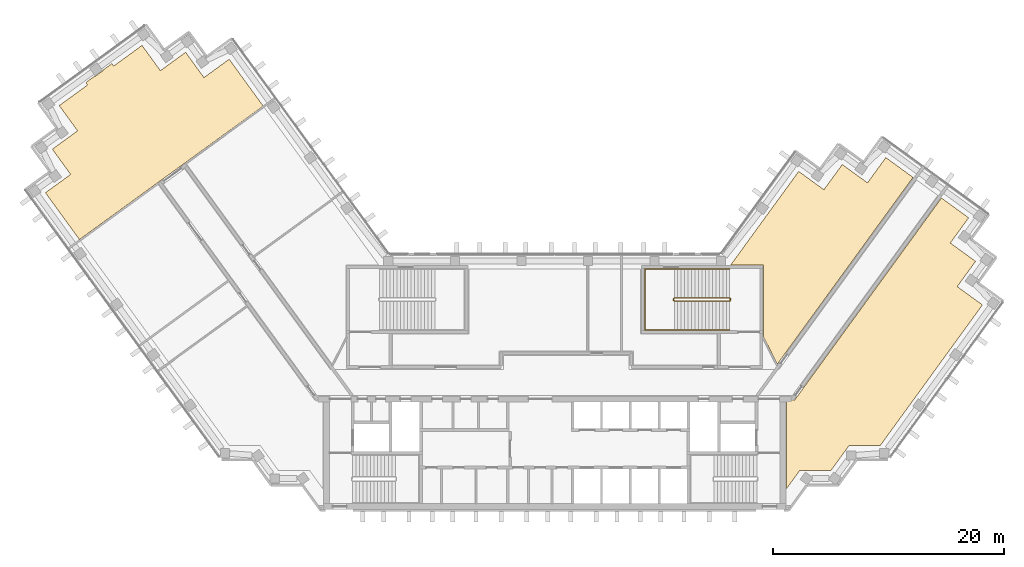
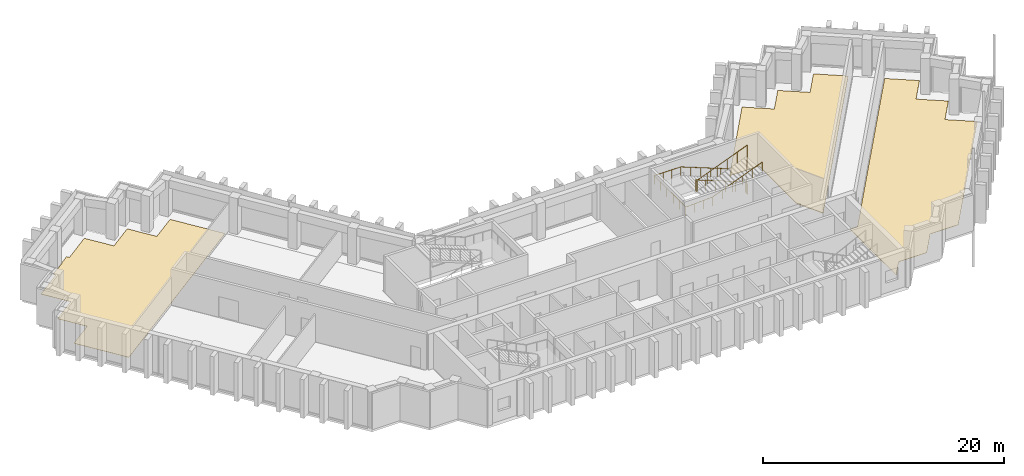
# One storey, part 9 of 9: 3 coverings, 2 railings.
"""IFC4 building model written with IfcOpenShell, lengths in metres."""

import ifcopenshell
import ifcopenshell.guid

model = None  # the IFC model being written
_history = None  # IfcOwnerHistory: only IFC2X3 demands one
_inside = {}  # id of a spatial element -> (the spatial element, [elements in it])
_under = {}  # id of a project, library or spatial element -> (it, [spatial elements below it])
_declared = {}  # id of a project -> (the project, [libraries it declares])
_typed = {}  # id of a type object -> (the type object, [elements of that type])
_made_of = {}  # id of a material, layer set ... -> (it, [elements and type objects made of it])


def new_model(schema):
    """Start an empty IFC model of exactly this schema.

    Asked for "IFC4X3", IfcOpenShell would pick the latest addendum, in which some entities
    have other attributes; the version numbers below select the first issue.
    IFC2X3 requires an IfcOwnerHistory on every rooted entity: one is made here for all.
    """
    global model, _history
    if schema == "IFC4X3":
        model = ifcopenshell.file(schema_version=(4, 3, 0, 0))
    else:
        model = ifcopenshell.file(schema=schema)
    _inside.clear()
    _under.clear()
    _declared.clear()
    _typed.clear()
    _made_of.clear()
    _history = None
    if model.schema == "IFC2X3":
        org = make("IfcOrganization", Name="unknown")
        user = make(
            "IfcPersonAndOrganization",
            ThePerson=make("IfcPerson", FamilyName="unknown"),
            TheOrganization=org,
        )
        app = make(
            "IfcApplication",
            ApplicationDeveloper=org,
            Version="unknown",
            ApplicationFullName="unknown",
            ApplicationIdentifier="unknown",
        )
        _history = make(
            "IfcOwnerHistory",
            OwningUser=user,
            OwningApplication=app,
            ChangeAction="ADDED",
            CreationDate=0,
        )
    return model


def make(cls, **values):
    """One entity of the class cls with the attributes given. An attribute that is None is left unset."""
    return model.create_entity(
        cls, **{name: value for name, value in values.items() if value is not None}
    )


def rooted(cls, **values):
    """An entity with a GlobalId (a new one), such as an element, a storey or a relation."""
    return make(cls, GlobalId=ifcopenshell.guid.new(), OwnerHistory=_history, **values)


def si_unit(unit_type, name, prefix=None):
    """IfcSIUnit, for example si_unit("LENGTHUNIT", "METRE", prefix="MILLI")."""
    return make("IfcSIUnit", UnitType=unit_type, Prefix=prefix, Name=name)


def assignment(units):
    """IfcUnitAssignment: the units of a project."""
    return None if units is None else make("IfcUnitAssignment", Units=units)


def point(xyz):
    """IfcCartesianPoint."""
    return None if xyz is None else make("IfcCartesianPoint", Coordinates=xyz)


def direction(xyz):
    """IfcDirection."""
    return None if xyz is None else make("IfcDirection", DirectionRatios=xyz)


def frame(location, z_axis=None, x_axis=None):
    """IfcAxis2Placement3D, a coordinate frame: its origin and axes. An axis left out is left unset."""
    return make(
        "IfcAxis2Placement3D",
        Location=point(location),
        Axis=direction(z_axis),
        RefDirection=direction(x_axis),
    )


def frame_2d(location, x_axis=None):
    """IfcAxis2Placement2D, a coordinate frame in the plane: its origin and x axis."""
    return make(
        "IfcAxis2Placement2D", Location=point(location), RefDirection=direction(x_axis)
    )


def origin():
    """The frame at (0, 0, 0) with its axes left unset."""
    return frame((0.0, 0.0, 0.0))


def origin_2d():
    """The frame at (0, 0) in the plane with its x axis left unset."""
    return frame_2d((0.0, 0.0))


def place(relative_to, where):
    """IfcLocalPlacement: puts the frame where relative to a parent placement (None: the world)."""
    return make(
        "IfcLocalPlacement", PlacementRelTo=relative_to, RelativePlacement=where
    )


def context(
    kind, dimensions, precision=None, world=None, true_north=None, identifier=None
):
    """IfcGeometricRepresentationContext, for example the 3D "Model" context."""
    return make(
        "IfcGeometricRepresentationContext",
        ContextIdentifier=identifier,
        ContextType=kind,
        CoordinateSpaceDimension=dimensions,
        Precision=precision,
        WorldCoordinateSystem=world,
        TrueNorth=true_north,
    )


def subcontext(parent, identifier, kind, view, scale=None):
    """IfcGeometricRepresentationSubContext, for example "Body" below "Model"."""
    return make(
        "IfcGeometricRepresentationSubContext",
        ContextIdentifier=identifier,
        ContextType=kind,
        ParentContext=parent,
        TargetScale=scale,
        TargetView=view,
    )


def project(units=None, contexts=None):
    """IfcProject with its units and contexts."""
    return rooted(
        "IfcProject",
        Name="project",
        RepresentationContexts=contexts,
        UnitsInContext=assignment(units),
    )


def spatial(cls, under=None, at=None, **own):
    """A site, building, storey or space (cls), placed at a placement, below another one or the project."""
    s = rooted(cls, ObjectPlacement=at, **own)
    if under is not None:
        _under.setdefault(under.id(), (under, []))[1].append(s)
    return s


def polyline(points):
    """IfcPolyline through the points."""
    return make("IfcPolyline", Points=[point(p) for p in points])


def profile(cls, at=None, kind="AREA", **sizes):
    """A parametric profile (cls). Its sizes go by their IFC names, for example OverallWidth=200.0."""
    return make(cls, ProfileType=kind, Position=at, **sizes)


def circle(**sizes):
    """IfcCircleProfileDef."""
    return profile("IfcCircleProfileDef", **sizes)


def outline(outer, holes=None, kind="AREA"):
    """IfcArbitraryClosedProfileDef: a profile drawn as a closed curve; with holes, ...WithVoids."""
    if holes is None:
        return make("IfcArbitraryClosedProfileDef", ProfileType=kind, OuterCurve=outer)
    return make(
        "IfcArbitraryProfileDefWithVoids",
        ProfileType=kind,
        OuterCurve=outer,
        InnerCurves=holes,
    )


def extrude(swept, where, along, depth):
    """IfcExtrudedAreaSolid: the profile swept, set in the frame where, extruded along a direction by depth."""
    return make(
        "IfcExtrudedAreaSolid",
        SweptArea=swept,
        Position=where,
        ExtrudedDirection=direction(along),
        Depth=depth,
    )


def shape(context_of_items, identifier, shape_type, items):
    """IfcShapeRepresentation: the items that make up one representation, for example the "Body"."""
    return make(
        "IfcShapeRepresentation",
        ContextOfItems=context_of_items,
        RepresentationIdentifier=identifier,
        RepresentationType=shape_type,
        Items=items,
    )


def material(Name=None, Category=None):
    """IfcMaterial."""
    return make("IfcMaterial", Name=Name, Category=Category)


def layer(
    of_material, thickness, ventilated=None, Name=None, Category=None, Priority=None
):
    """IfcMaterialLayer: one layer of a wall or slab, of a material (None: an air gap)."""
    return make(
        "IfcMaterialLayer",
        Material=of_material,
        LayerThickness=thickness,
        IsVentilated=ventilated,
        Name=Name,
        Category=Category,
        Priority=Priority,
    )


def layer_set(layers, Name=None):
    """IfcMaterialLayerSet."""
    return make("IfcMaterialLayerSet", MaterialLayers=layers, LayerSetName=Name)


def made_of(thing, what):
    """Note that an element or type object is made of a material, layer set ...; save() writes the relation."""
    if what is not None:
        _made_of.setdefault(what.id(), (what, []))[1].append(thing)
    return thing


def type_object(cls, material=None, **own):
    """A type object (cls), such as IfcWallType, which elements share."""
    return made_of(rooted(cls, **own), material)


def element(
    cls,
    number,
    at=None,
    inside=None,
    cuts=None,
    type_object=None,
    material=None,
    context=None,
    identifier="Body",
    shape_type=None,
    held_by="IfcProductDefinitionShape",
    body=None,
    shapes=None,
    **own,
):
    """One element of the class cls, such as IfcWall. Its Tag is "e" and its number.

    at: its placement. inside: the storey or other place that contains it. cuts: it is an
    opening in that element (IfcRelVoidsElement). A single representation is given by context,
    identifier, shape_type and body (its items); several are given by shapes. held_by: the class
    of the entity that holds the representations. save() writes the other relations.
    """
    e = rooted(cls, Tag="e%d" % number, ObjectPlacement=at, **own)
    if body is not None:
        shapes = [shape(context, identifier, shape_type, body)]
    if shapes is not None:
        e.Representation = make(held_by, Representations=shapes)
    if inside is not None:
        _inside.setdefault(inside.id(), (inside, []))[1].append(e)
    if cuts is not None:
        rooted(
            "IfcRelVoidsElement", RelatingBuildingElement=cuts, RelatedOpeningElement=e
        )
    if type_object is not None:
        _typed.setdefault(type_object.id(), (type_object, []))[1].append(e)
    return made_of(e, material)


def aggregate(whole, parts):
    """IfcRelAggregates: a whole, such as a stair, and the parts it consists of."""
    return rooted("IfcRelAggregates", RelatingObject=whole, RelatedObjects=parts)


def save(model, path):
    """Write the relations noted so far, then the file.

    IfcRelAggregates (storeys below a building ...), IfcRelContainedInSpatialStructure (elements
    in a storey), IfcRelDefinesByType, IfcRelAssociatesMaterial and IfcRelDeclares: one each for
    every whole, place, type object, material and project.
    """
    for whole, parts in _under.values():
        aggregate(whole, parts)
    for where, things in _inside.values():
        rooted(
            "IfcRelContainedInSpatialStructure",
            RelatedElements=things,
            RelatingStructure=where,
        )
    for kind, things in _typed.values():
        rooted("IfcRelDefinesByType", RelatedObjects=things, RelatingType=kind)
    for what, things in _made_of.values():
        rooted("IfcRelAssociatesMaterial", RelatedObjects=things, RelatingMaterial=what)
    for by, libraries in _declared.values():
        rooted("IfcRelDeclares", RelatingContext=by, RelatedDefinitions=libraries)
    model.write(path)


model = new_model("IFC4")

# Units and contexts
model_context = context("Model", 3, precision=1e-05, world=origin(), true_north=direction((0.0, 1.0)))
body_context = subcontext(model_context, "Body", "Model", "MODEL_VIEW")
ifc_project = project(units=[si_unit("LENGTHUNIT", "METRE"), si_unit("AREAUNIT", "SQUARE_METRE"), si_unit("VOLUMEUNIT", "CUBIC_METRE"), si_unit("PLANEANGLEUNIT", "RADIAN"), si_unit("MASSUNIT", "GRAM", prefix="KILO")], contexts=[model_context])

# Site, building, storey
site_placement = place(None, origin())
site = spatial("IfcSite", under=ifc_project, at=site_placement, CompositionType="ELEMENT")
building_placement = place(site_placement, origin())
building = spatial("IfcBuilding", under=site, at=building_placement, Name="Quipu Civic Tower", CompositionType="ELEMENT")
storey_placement = place(building_placement, frame((0.0, 0.0, 226.0)))
storey = spatial("IfcBuildingStorey", under=building, at=storey_placement, Name="L53", CompositionType="ELEMENT", Elevation=226.0)

# Coverings
ifc_material_1 = material(Name="Carpet tile on raised access floor")
ifc_layer_1 = layer(ifc_material_1, 0.02001953125)
ifc_layer_set_1 = layer_set([ifc_layer_1], Name="Carpet tile on raised access floor")
covering_type_1 = type_object("IfcCoveringType", Name="Carpet tile floor finish 20", PredefinedType="FLOORING", material=ifc_layer_set_1)
covering_1_placement = place(storey_placement, origin())
element("IfcCovering", 1, at=covering_1_placement, inside=storey, type_object=covering_type_1, Name="Carpet tile floor finish 20", PredefinedType="FLOORING", context=body_context, shape_type="SweptSolid", body=[
    extrude(outline(polyline([(-44.074951171875, 16.4140625), (-41.89208984375, 17.9990234375), (-43.47802734375, 20.18505859375), (-41.2939453125, 21.77294921875), (-42.881103515625, 23.95703125), (-40.424072265625, 25.740966796875), (-40.574951171875, 25.952880859375), (-39.81298828125, 26.507080078125), (-39.80908203125, 26.5029296875), (-39.804931640625, 26.5009765625), (-39.801025390625, 26.498046875), (-39.7958984375, 26.49609375), (-39.7919921875, 26.4951171875), (-39.787109375, 26.493896484375), (-39.781982421875, 26.492919921875), (-39.777099609375, 26.492919921875), (-39.77197265625, 26.493896484375), (-39.76806640625, 26.4951171875), (-39.762939453125, 26.49609375), (-39.758056640625, 26.498046875), (-39.75390625, 26.5), (-39.75, 26.5029296875), (-39.10302734375, 26.972900390625), (-39.09912109375, 26.97607421875), (-39.094970703125, 26.97998046875), (-39.092041015625, 26.98291015625), (-39.089111328125, 26.987060546875), (-39.0869140625, 26.991943359375), (-39.0849609375, 26.99609375), (-39.083984375, 27.0009765625), (-39.0830078125, 27.006103515625), (-39.08203125, 27.010986328125), (-39.08203125, 27.014892578125), (-39.08203125, 27.02001953125), (-39.0830078125, 27.02490234375), (-39.0849609375, 27.030029296875), (-39.0869140625, 27.033935546875), (-38.324951171875, 27.587890625), (-38.169921875, 27.37890625), (-35.712890625, 29.1640625), (-34.126953125, 26.97998046875), (-31.94091796875, 28.56591796875), (-30.35400390625, 26.383056640625), (-28.169921875, 27.968994140625), (-25.22607421875, 23.916015625), (-41.131103515625, 12.360107421875), (-44.074951171875, 16.4140625)])), origin(), (0.0, 0.0, 1.0), 0.02001953125),
])
covering_2_placement = place(storey_placement, origin())
element("IfcCovering", 2, at=covering_2_placement, inside=storey, type_object=covering_type_1, Name="Carpet tile floor finish 20", PredefinedType="FLOORING", context=body_context, shape_type="SweptSolid", body=[
    extrude(outline(polyline([(20.070068359375, -9.195068359375), (20.070068359375, -1.52001953125), (20.77490234375, -1.51904296875), (33.472900390625, 15.9580078125), (35.826904296875, 14.248046875), (34.240966796875, 12.06396484375), (36.425048828125, 10.47607421875), (34.839111328125, 8.291015625), (37.02197265625, 6.7060546875), (28.181884765625, -5.4609375), (25.48193359375, -5.4619140625), (23.89501953125, -7.64599609375), (21.196044921875, -7.64599609375), (20.070068359375, -9.195068359375)])), origin(), (0.0, 0.0, 1.0), 0.02001953125),
])
ifc_material_2 = material(Name="Sealed cement screed")
ifc_layer_2 = layer(ifc_material_2, 0.050048828125)
ifc_layer_set_2 = layer_set([ifc_layer_2], Name="Sealed cement screed")
covering_type_2 = type_object("IfcCoveringType", Name="Sealed screed floor finish 50", PredefinedType="FLOORING", material=ifc_layer_set_2)
covering_3_placement = place(storey_placement, origin())
element("IfcCovering", 3, at=covering_3_placement, inside=storey, type_object=covering_type_2, Name="Sealed screed floor finish 50", PredefinedType="FLOORING", context=body_context, shape_type="SweptSolid", body=[
    extrude(outline(polyline([(15.238037109375, 10.169921875), (21.116943359375, 18.260986328125), (23.301025390625, 16.675048828125), (24.887939453125, 18.85791015625), (27.073974609375, 17.27197265625), (28.658935546875, 19.455078125), (31.013916015625, 17.7451171875), (19.27197265625, 1.583984375), (18.070068359375, 3.94189453125), (18.070068359375, 10.1689453125), (15.238037109375, 10.169921875)])), origin(), (0.0, 0.0, 1.0), 0.050048828125),
])

# Railings
ifc_material_3 = material(Name="Stainless steel", Category="steel")
railing_type_1 = type_object("IfcRailingType", Name="Stair guard 1100", PredefinedType="GUARDRAIL", material=ifc_material_3)
railing_1_placement = place(storey_placement, frame((15.14990234375, 7.300048828125, 0.11767578125)))
element("IfcRailing", 4, at=railing_1_placement, inside=storey, type_object=railing_type_1, Name="Stair 4 guard", PredefinedType="GUARDRAIL", context=body_context, shape_type="SweptSolid", body=[
    extrude(circle(Radius=0.02392578125, at=origin_2d()), frame((0.0, 0.0, 1.076171875), z_axis=(-0.930970042603, 0.0, 0.365095576219), x_axis=(0.0, -1.0, 0.0)), (0.0, 0.0, 1.0), 5.15576171875),
    extrude(circle(Radius=0.02392578125, at=origin_2d()), frame((-4.7998046875, 0.0, 2.95849609375), z_axis=(-0.707106781187, -0.707106781187, 0.0), x_axis=(0.707106781187, -0.707106781187, 0.0)), (0.0, 0.0, 1.0), 0.07080078125),
    extrude(circle(Radius=0.02392578125, at=origin_2d()), frame((-4.849853515625, -0.050048828125, 2.95849609375), z_axis=(0.0, -1.0, 0.0), x_axis=(1.0, 0.0, 0.0)), (0.0, 0.0, 1.0), 0.14990234375),
    extrude(circle(Radius=0.02392578125, at=origin_2d()), frame((-4.849853515625, -0.199951171875, 2.95849609375), z_axis=(0.364463019033, -0.364463019033, 0.856932561824), x_axis=(0.707106781187, 0.707106781187, 0.0)), (0.0, 0.0, 1.0), 0.13720703125),
    extrude(circle(Radius=0.02392578125, at=origin_2d()), frame((-4.7998046875, -0.25, 3.076171875), z_axis=(0.930970042603, 0.0, 0.365095576219), x_axis=(0.0, 1.0, 0.0)), (0.0, 0.0, 1.0), 5.15576171875),
    extrude(circle(Radius=0.02392578125, at=origin_2d()), frame((0.0, -0.25, 4.95849609375), z_axis=(0.012495627992, 0.049921557685, -0.998674970829), x_axis=(-0.970072785993, 0.242814311512, 0.0)), (0.0, 0.0, 1.0), 4.00537109375),
    extrude(circle(Radius=0.02392578125, at=origin_2d()), frame((0.050048828125, -0.050048828125, 0.95849609375), z_axis=(0.0, -1.0, 0.0), x_axis=(1.0, 0.0, 0.0)), (0.0, 0.0, 1.0), 0.14990234375),
    extrude(circle(Radius=0.02099609375, at=origin_2d()), origin(), (0.0, 0.0, 1.0), 1.052001953125),
    extrude(circle(Radius=0.02099609375, at=origin_2d()), frame((-0.9599609375, 0.0, 0.37646484375)), (0.0, 0.0, 1.0), 1.052001953125),
    extrude(circle(Radius=0.02099609375, at=origin_2d()), frame((-1.919921875, 0.0, 0.7529296875)), (0.0, 0.0, 1.0), 1.052001953125),
    extrude(circle(Radius=0.02099609375, at=origin_2d()), frame((-2.8798828125, 0.0, 1.12939453125)), (0.0, 0.0, 1.0), 1.052001953125),
    extrude(circle(Radius=0.02099609375, at=origin_2d()), frame((-3.83984375, 0.0, 1.505859375)), (0.0, 0.0, 1.0), 1.052001953125),
    extrude(circle(Radius=0.02099609375, at=origin_2d()), frame((-4.7998046875, 0.0, 1.88232421875)), (0.0, 0.0, 1.0), 1.052001953125),
    extrude(circle(Radius=0.02099609375, at=origin_2d()), frame((-4.849853515625, -0.050048828125, 1.88232421875)), (0.0, 0.0, 1.0), 1.052001953125),
    extrude(circle(Radius=0.02099609375, at=origin_2d()), frame((-4.849853515625, -0.199951171875, 1.88232421875)), (0.0, 0.0, 1.0), 1.052001953125),
    extrude(circle(Radius=0.02099609375, at=origin_2d()), frame((-4.7998046875, -0.25, 2.0)), (0.0, 0.0, 1.0), 1.052001953125),
    extrude(circle(Radius=0.02099609375, at=origin_2d()), frame((-3.83984375, -0.25, 2.37646484375)), (0.0, 0.0, 1.0), 1.052001953125),
    extrude(circle(Radius=0.02099609375, at=origin_2d()), frame((-2.8798828125, -0.25, 2.7529296875)), (0.0, 0.0, 1.0), 1.052001953125),
    extrude(circle(Radius=0.02099609375, at=origin_2d()), frame((-1.919921875, -0.25, 3.12939453125)), (0.0, 0.0, 1.0), 1.052001953125),
    extrude(circle(Radius=0.02099609375, at=origin_2d()), frame((-0.9599609375, -0.25, 3.505859375)), (0.0, 0.0, 1.0), 1.052001953125),
    extrude(circle(Radius=0.02099609375, at=origin_2d()), frame((0.0, -0.25, 3.88232421875)), (0.0, 0.0, 1.0), 1.052001953125),
    extrude(circle(Radius=0.02099609375, at=origin_2d()), frame((0.012451171875, -0.199951171875, 2.88232421875)), (0.0, 0.0, 1.0), 1.052001953125),
    extrude(circle(Radius=0.02099609375, at=origin_2d()), frame((0.02490234375, -0.14990234375, 1.88232421875)), (0.0, 0.0, 1.0), 1.052001953125),
    extrude(circle(Radius=0.02099609375, at=origin_2d()), frame((0.03759765625, -0.10009765625, 0.88232421875)), (0.0, 0.0, 1.0), 1.052001953125),
    extrude(circle(Radius=0.02099609375, at=origin_2d()), frame((0.050048828125, -0.050048828125, -0.11767578125)), (0.0, 0.0, 1.0), 1.052001953125),
    extrude(circle(Radius=0.02099609375, at=origin_2d()), frame((0.050048828125, -0.199951171875, -0.11767578125)), (0.0, 0.0, 1.0), 1.052001953125),
])
ifc_material_4 = material(Name="Stainless steel", Category="steel")
railing_type_2 = type_object("IfcRailingType", Name="Stair handrail", PredefinedType="HANDRAIL", material=ifc_material_4)
railing_2_placement = place(storey_placement, frame((15.14990234375, 9.800048828125, 0.11767578125)))
element("IfcRailing", 5, at=railing_2_placement, inside=storey, type_object=railing_type_2, Name="Stair 4 handrail", PredefinedType="HANDRAIL", context=body_context, shape_type="SweptSolid", body=[
    extrude(circle(Radius=0.02392578125, at=origin_2d()), frame((0.0, 0.0, 0.8759765625), z_axis=(-0.930970042603, 0.0, 0.365095576219), x_axis=(0.0, -1.0, 0.0)), (0.0, 0.0, 1.0), 5.15576171875),
    extrude(circle(Radius=0.02392578125, at=origin_2d()), frame((-4.7998046875, 0.0, 2.75830078125), z_axis=(-1.0, 0.0, 0.0), x_axis=(0.0, -1.0, 0.0)), (0.0, 0.0, 1.0), 2.550048828125),
    extrude(circle(Radius=0.02392578125, at=origin_2d()), frame((-7.349853515625, 0.0, 2.75830078125), z_axis=(0.0, -1.0, 0.0), x_axis=(1.0, 0.0, 0.0)), (0.0, 0.0, 1.0), 5.25),
    extrude(circle(Radius=0.02392578125, at=origin_2d()), frame((-7.349853515625, -5.25, 2.75830078125), z_axis=(0.998936948642, 0.0, 0.04609742549), x_axis=(0.0, 1.0, 0.0)), (0.0, 0.0, 1.0), 2.552734375),
    extrude(circle(Radius=0.02392578125, at=origin_2d()), frame((-4.7998046875, -5.25, 2.8759765625), z_axis=(0.930970042603, 0.0, 0.365095576219), x_axis=(0.0, 1.0, 0.0)), (0.0, 0.0, 1.0), 5.15576171875),
    extrude(circle(Radius=0.02099609375, at=origin_2d()), origin(), (0.0, 0.0, 1.0), 0.851806640625),
    extrude(circle(Radius=0.02099609375, at=origin_2d()), frame((-0.9599609375, 0.0, 0.37646484375)), (0.0, 0.0, 1.0), 0.851806640625),
    extrude(circle(Radius=0.02099609375, at=origin_2d()), frame((-1.919921875, 0.0, 0.7529296875)), (0.0, 0.0, 1.0), 0.851806640625),
    extrude(circle(Radius=0.02099609375, at=origin_2d()), frame((-2.8798828125, 0.0, 1.12939453125)), (0.0, 0.0, 1.0), 0.851806640625),
    extrude(circle(Radius=0.02099609375, at=origin_2d()), frame((-3.83984375, 0.0, 1.505859375)), (0.0, 0.0, 1.0), 0.851806640625),
    extrude(circle(Radius=0.02099609375, at=origin_2d()), frame((-4.7998046875, 0.0, 1.88232421875)), (0.0, 0.0, 1.0), 0.851806640625),
    extrude(circle(Radius=0.02099609375, at=origin_2d()), frame((-5.64990234375, 0.0, 1.88232421875)), (0.0, 0.0, 1.0), 0.851806640625),
    extrude(circle(Radius=0.02099609375, at=origin_2d()), frame((-6.499755859375, 0.0, 1.88232421875)), (0.0, 0.0, 1.0), 0.851806640625),
    extrude(circle(Radius=0.02099609375, at=origin_2d()), frame((-7.349853515625, 0.0, 1.88232421875)), (0.0, 0.0, 1.0), 0.851806640625),
    extrude(circle(Radius=0.02099609375, at=origin_2d()), frame((-7.349853515625, -1.050048828125, 1.88232421875)), (0.0, 0.0, 1.0), 0.851806640625),
    extrude(circle(Radius=0.02099609375, at=origin_2d()), frame((-7.349853515625, -2.10009765625, 1.88232421875)), (0.0, 0.0, 1.0), 0.851806640625),
    extrude(circle(Radius=0.02099609375, at=origin_2d()), frame((-7.349853515625, -3.14990234375, 1.88232421875)), (0.0, 0.0, 1.0), 0.851806640625),
    extrude(circle(Radius=0.02099609375, at=origin_2d()), frame((-7.349853515625, -4.199951171875, 1.88232421875)), (0.0, 0.0, 1.0), 0.851806640625),
    extrude(circle(Radius=0.02099609375, at=origin_2d()), frame((-7.349853515625, -5.25, 1.88232421875)), (0.0, 0.0, 1.0), 0.851806640625),
    extrude(circle(Radius=0.02099609375, at=origin_2d()), frame((-6.499755859375, -5.25, 1.921630859375)), (0.0, 0.0, 1.0), 0.851806640625),
    extrude(circle(Radius=0.02099609375, at=origin_2d()), frame((-5.64990234375, -5.25, 1.960693359375)), (0.0, 0.0, 1.0), 0.851806640625),
    extrude(circle(Radius=0.02099609375, at=origin_2d()), frame((-4.7998046875, -5.25, 2.0)), (0.0, 0.0, 1.0), 0.851806640625),
    extrude(circle(Radius=0.02099609375, at=origin_2d()), frame((-3.83984375, -5.25, 2.37646484375)), (0.0, 0.0, 1.0), 0.851806640625),
    extrude(circle(Radius=0.02099609375, at=origin_2d()), frame((-2.8798828125, -5.25, 2.7529296875)), (0.0, 0.0, 1.0), 0.851806640625),
    extrude(circle(Radius=0.02099609375, at=origin_2d()), frame((-1.919921875, -5.25, 3.12939453125)), (0.0, 0.0, 1.0), 0.851806640625),
    extrude(circle(Radius=0.02099609375, at=origin_2d()), frame((-0.9599609375, -5.25, 3.505859375)), (0.0, 0.0, 1.0), 0.851806640625),
    extrude(circle(Radius=0.02099609375, at=origin_2d()), frame((0.0, -5.25, 3.88232421875)), (0.0, 0.0, 1.0), 0.851806640625),
])

save(model, "model.ifc")
